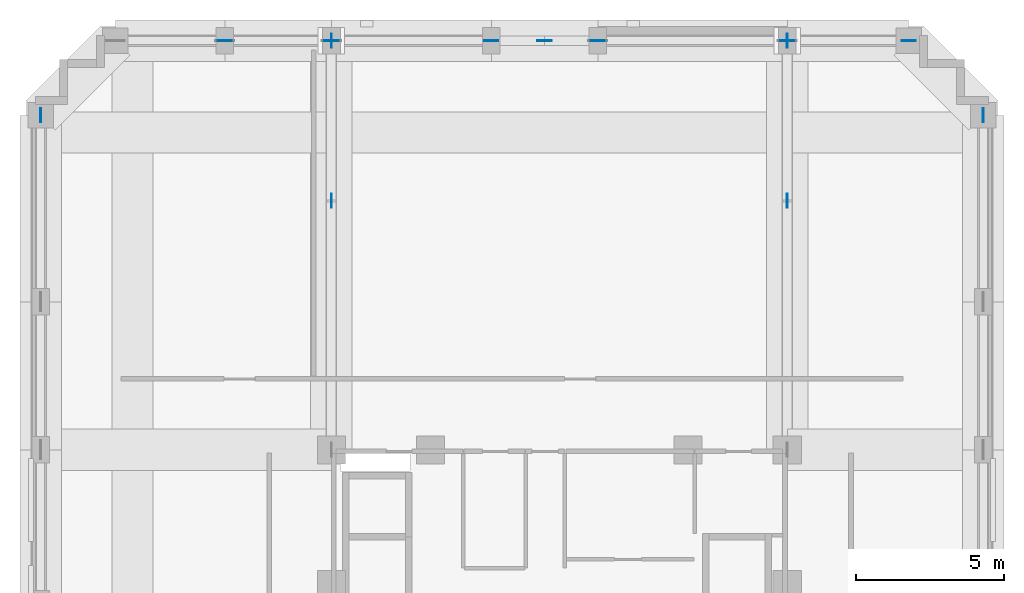
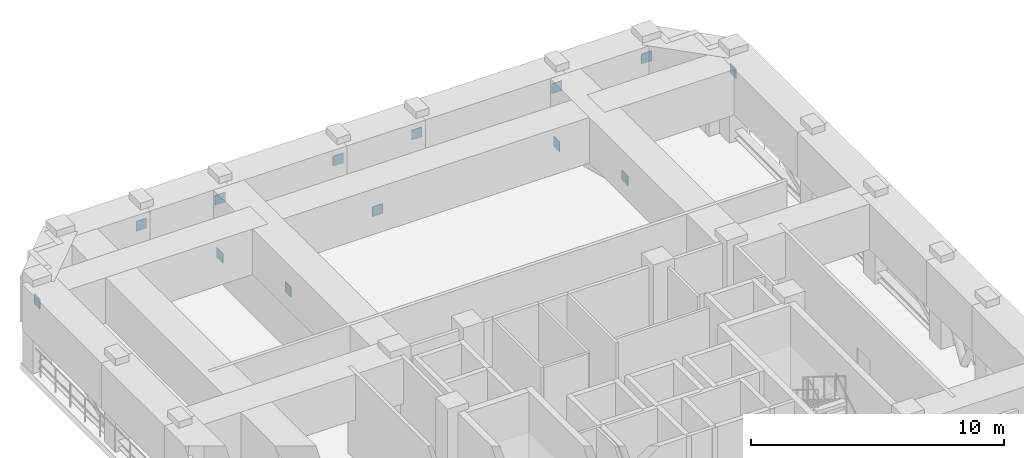
# One storey, part 8 of 12: 13 discrete accessories.
"""IFC4 building model written with IfcOpenShell, lengths in metres."""

from ifc_helpers import new_model, si_unit, derived_unit, direction, frame, origin, origin_2d, place, context, subcontext, project, spatial, rectangle, extrude, material, layer, layer_set, type_object, element, save


model = new_model("IFC4")

# Units and contexts
model_context = context("Model", 3, precision=1e-05, world=origin(), true_north=direction((0.0, 1.0)))
body_context = subcontext(model_context, "Body", "Model", "MODEL_VIEW")
ifc_project = project(units=[si_unit("LENGTHUNIT", "METRE"), si_unit("AREAUNIT", "SQUARE_METRE"), si_unit("VOLUMEUNIT", "CUBIC_METRE"), si_unit("PLANEANGLEUNIT", "RADIAN"), si_unit("MASSUNIT", "GRAM", prefix="KILO"), derived_unit("THERMALTRANSMITTANCEUNIT", [(si_unit("MASSUNIT", "GRAM", prefix="KILO"), 1), (si_unit("TIMEUNIT", "SECOND"), -3), (si_unit("THERMODYNAMICTEMPERATUREUNIT", "KELVIN"), -1)])], contexts=[model_context])

# Site, building, storey
site_placement = place(None, origin())
site = spatial("IfcSite", under=ifc_project, at=site_placement, CompositionType="ELEMENT")
building_placement = place(site_placement, origin())
building = spatial("IfcBuilding", under=site, at=building_placement, Name="Korrvale Station Residences", CompositionType="ELEMENT")
storey_placement = place(building_placement, frame((0.0, 0.0, 169.89990234375)))
storey = spatial("IfcBuildingStorey", under=building, at=storey_placement, Name="L49", CompositionType="ELEMENT", Elevation=169.89990234375)

# Discrete accessories
ifc_material = material(Name="Steel S355", Category="steel")
ifc_layer = layer(ifc_material, 0.02490234375, Name="Steel S355")
ifc_layer_set = layer_set([ifc_layer], Name="Steel S355")
discrete_accessory_type = type_object("IfcDiscreteAccessoryType", Name="ACC-GUSSET-25", PredefinedType="BRACKET", material=ifc_layer_set)
for number, where, z_axis, x_axis, name in (
    (1, (25.0, 42.820068359375, -0.219970703125), (0.0, 0.0, 1.0), (1.0, 0.0, 0.0), "L49 N Brace End Gusset Connection M"),
    (2, (23.199951171875, 42.820068359375, 2.860107421875), (0.0, 0.0, 1.0), (1.0, 0.0, 0.0), "L49 N Brace End Gusset Connection A"),
    (3, (26.800048828125, 42.820068359375, 2.860107421875), (0.0, 0.0, 1.0), (1.0, 0.0, 0.0), "L49 N Brace End Gusset Connection B"),
    (4, (14.199951171875, 42.820068359375, 2.860107421875), (0.0, 0.0, 1.0), (1.0, 0.0, 0.0), "L49 Belt Truss Top Gusset Connection 06"),
    (5, (17.800048828125, 42.820068359375, 2.860107421875), (0.0, 0.0, 1.0), (1.0, 0.0, 0.0), "L49 Belt Truss Top Gusset Connection 07"),
    (6, (33.199951171875, 42.820068359375, 2.860107421875), (0.0, 0.0, 1.0), (1.0, 0.0, 0.0), "L49 Belt Truss Top Gusset Connection 09"),
    (7, (37.300048828125, 42.820068359375, 2.860107421875), (0.0, 0.0, 1.0), (1.0, 0.0, 0.0), "L49 Belt Truss Top Gusset Connection 10"),
    (8, (7.97998046875, 40.300048828125, 2.860107421875), (0.0, 0.0, 1.0), (0.0, 1.0, 0.0), "L49 Belt Truss Top Gusset Connection 16"),
    (9, (39.820068359375, 40.300048828125, 2.860107421875), (0.0, 0.0, 1.0), (0.0, 1.0, 0.0), "L49 Belt Truss Top Gusset Connection 22"),
    (10, (17.800048828125, 42.820068359375, 0.110107421875), (0.0, 0.0, 1.0), (0.0, 1.0, 0.0), "L49 Outrigger Gusset Connection 3A"),
    (11, (17.800048828125, 37.409912109375, 1.739990234375), (0.0, 0.0, 1.0), (0.0, 1.0, 0.0), "L49 Outrigger Gusset Connection 3M"),
    (12, (33.199951171875, 42.820068359375, 0.110107421875), (0.0, 0.0, 1.0), (0.0, 1.0, 0.0), "L49 Outrigger Gusset Connection 4A"),
    (13, (33.199951171875, 37.409912109375, 1.739990234375), (0.0, 0.0, 1.0), (0.0, 1.0, 0.0), "L49 Outrigger Gusset Connection 4M"),
):
    element("IfcDiscreteAccessory", number, at=place(storey_placement, frame(where, z_axis=z_axis, x_axis=x_axis)), inside=storey, type_object=discrete_accessory_type, Name=name, PredefinedType="BRACKET", context=body_context, shape_type="SweptSolid", body=[
        extrude(rectangle(XDim=0.47998046875, YDim=0.02490234375, at=origin_2d()), origin(), (0.0, 0.0, 1.0), 0.47998046875),
    ])

save(model, "model.ifc")
